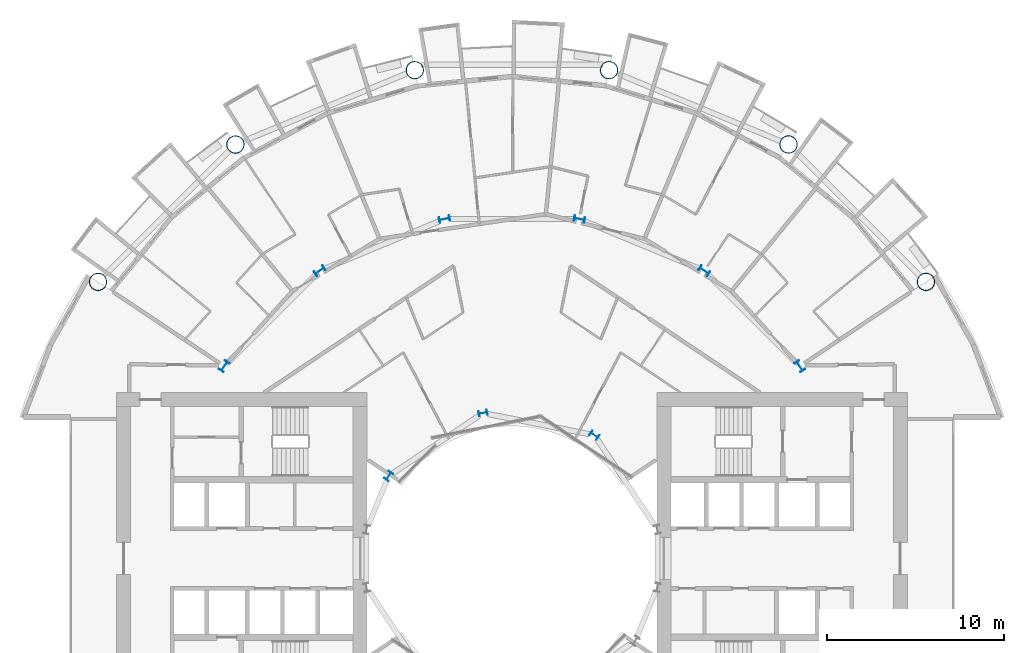
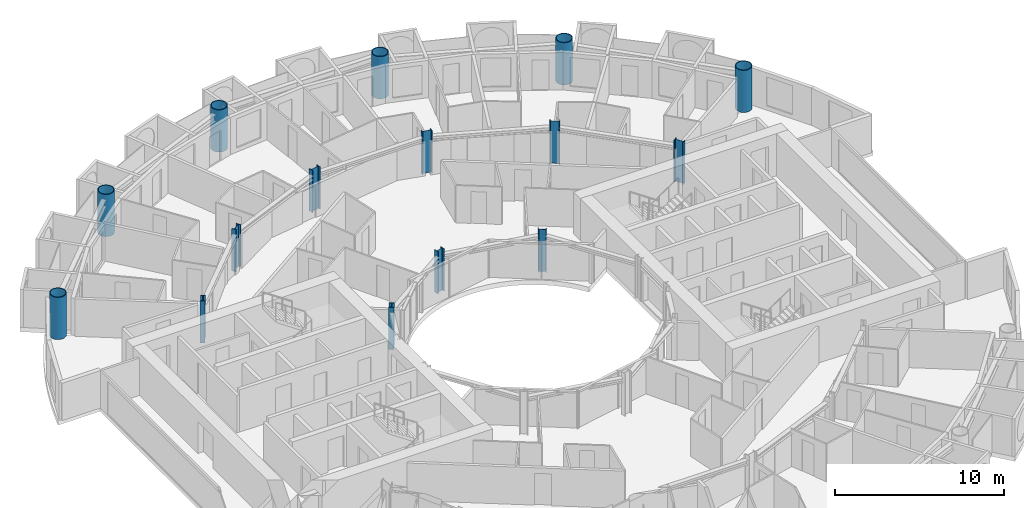
# One storey, part 3 of 26: 15 columns.
"""IFC4 building model written with IfcOpenShell, lengths in metres."""

from ifc_helpers import new_model, si_unit, direction, frame, origin, origin_2d, place, context, subcontext, project, spatial, hollow_circle, i_section, extrude, material, material_profile, profile_set, type_object, element, save


model = new_model("IFC4")

# Units and contexts
model_context = context("Model", 3, precision=1e-05, world=origin(), true_north=direction((0.0, 1.0)))
body_context = subcontext(model_context, "Body", "Model", "MODEL_VIEW")
ifc_project = project(units=[si_unit("LENGTHUNIT", "METRE"), si_unit("AREAUNIT", "SQUARE_METRE"), si_unit("VOLUMEUNIT", "CUBIC_METRE"), si_unit("PLANEANGLEUNIT", "RADIAN"), si_unit("MASSUNIT", "GRAM", prefix="KILO")], contexts=[model_context])

# Site, building, storey
site_placement = place(None, origin())
site = spatial("IfcSite", under=ifc_project, at=site_placement, CompositionType="ELEMENT")
building_placement = place(site_placement, origin())
building = spatial("IfcBuilding", under=site, at=building_placement, Name="Maasbend Ring Residences", CompositionType="ELEMENT")
storey_placement = place(building_placement, frame((0.0, 0.0, 31.949951171875)))
storey = spatial("IfcBuildingStorey", under=building, at=storey_placement, Name="L08", CompositionType="ELEMENT", Elevation=31.949951171875)

# Columns
ifc_material_1 = material(Name="Composite concrete-filled steel tube S460NH / C80/95", Category="concrete")
ifc_material_profile_1 = material_profile(ifc_material_1, hollow_circle(Radius=0.508056640625, WallThickness=0.050048828125, at=origin_2d()), Name="Composite tube column CHS 1016x50")
ifc_profile_set_1 = profile_set([ifc_material_profile_1], Name="Composite concrete-filled steel tube S460NH / C80/95")
column_type_1 = type_object("IfcColumnType", Name="Composite tube column CHS 1016x50", PredefinedType="COLUMN", material=ifc_profile_set_1)
for number, where, z_axis, x_axis, name in (
    (1, (23.447509765625, 15.6669921875, 0.0), (0.0, 0.0, 1.0), (1.0, 0.0, 0.0), "Outer column R2"),
    (2, (15.6669921875, 23.447509765625, 0.0), (0.0, 0.0, 1.0), (1.0, 0.0, 0.0), "Outer column R3"),
    (3, (5.50146484375, 27.658203125, 0.0), (0.0, 0.0, 1.0), (1.0, 0.0, 0.0), "Outer column R4"),
    (4, (-5.50146484375, 27.658203125, 0.0), (0.0, 0.0, 1.0), (1.0, 0.0, 0.0), "Outer column R5"),
    (5, (-15.6669921875, 23.447509765625, 0.0), (0.0, 0.0, 1.0), (1.0, 0.0, 0.0), "Outer column R6"),
    (6, (-23.447509765625, 15.6669921875, 0.0), (0.0, 0.0, 1.0), (1.0, 0.0, 0.0), "Outer column R7"),
):
    element("IfcColumn", number, at=place(storey_placement, frame(where, z_axis=z_axis, x_axis=x_axis)), inside=storey, type_object=column_type_1, Name=name, PredefinedType="COLUMN", context=body_context, shape_type="SweptSolid", body=[
        extrude(hollow_circle(Radius=0.508056640625, WallThickness=0.050048828125, at=origin_2d()), origin(), (0.0, 0.0, 1.0), 3.050048828125),
    ])
ifc_material_2 = material(Name="Steel S355J2", Category="steel")
ifc_material_profile_2 = material_profile(ifc_material_2, i_section(OverallWidth=0.300048828125, OverallDepth=0.5, WebThickness=0.014404296875, FlangeThickness=0.028076171875, FilletRadius=0.027099609375, at=origin_2d()), Name="HEB 500")
ifc_profile_set_2 = profile_set([ifc_material_profile_2], Name="Steel S355J2")
column_type_2 = type_object("IfcColumnType", Name="Steel column HEB 500", PredefinedType="COLUMN", material=ifc_profile_set_2)
for number, where, z_axis, x_axis, name in (
    (7, (4.666748046875, 6.984375, 0.0), (0.0, 0.0, 1.0), (0.55557023302, 0.831469612303, 0.0), "Well ring column R3"),
    (8, (-1.638916015625, 8.238525390625, 0.0), (0.0, 0.0, 1.0), (-0.195090322016, 0.980785280403, 0.0), "Well ring column R5"),
    (9, (-6.984375, 4.666748046875, 0.0), (0.0, 0.0, 1.0), (-0.831469612303, 0.55557023302, 0.0), "Well ring column R7"),
):
    element("IfcColumn", number, at=place(storey_placement, frame(where, z_axis=z_axis, x_axis=x_axis)), inside=storey, type_object=column_type_2, Name=name, PredefinedType="COLUMN", context=body_context, shape_type="SweptSolid", body=[
        extrude(i_section(OverallWidth=0.300048828125, OverallDepth=0.5, WebThickness=0.014404296875, FlangeThickness=0.028076171875, FilletRadius=0.027099609375, at=origin_2d()), origin(), (0.0, 0.0, 1.0), 3.050048828125),
    ])
ifc_material_3 = material(Name="Steel S460M", Category="steel")
ifc_material_profile_3 = material_profile(ifc_material_3, i_section(OverallWidth=0.304931640625, OverallDepth=0.6201171875, WebThickness=0.02099609375, FlangeThickness=0.0400390625, FilletRadius=0.027099609375, at=origin_2d()), Name="HEM 600")
ifc_profile_set_3 = profile_set([ifc_material_profile_3], Name="Steel S460M")
column_type_3 = type_object("IfcColumnType", Name="Steel column HEM 600", PredefinedType="COLUMN", material=ifc_profile_set_3)
for number, where, z_axis, x_axis, name in (
    (10, (16.296875, 10.88916015625, 0.0), (0.0, 0.0, 1.0), (0.831469612303, 0.55557023302, 0.0), "Corridor ring column R2"),
    (11, (10.88916015625, 16.296875, 0.0), (0.0, 0.0, 1.0), (0.55557023302, 0.831469612303, 0.0), "Corridor ring column R3"),
    (12, (3.82373046875, 19.223388671875, 0.0), (0.0, 0.0, 1.0), (0.195090322016, 0.980785280403, 0.0), "Corridor ring column R4"),
    (13, (-3.82373046875, 19.223388671875, 0.0), (0.0, 0.0, 1.0), (-0.195090322016, 0.980785280403, 0.0), "Corridor ring column R5"),
    (14, (-10.88916015625, 16.296875, 0.0), (0.0, 0.0, 1.0), (-0.55557023302, 0.831469612303, 0.0), "Corridor ring column R6"),
    (15, (-16.296875, 10.88916015625, 0.0), (0.0, 0.0, 1.0), (-0.831469612303, 0.55557023302, 0.0), "Corridor ring column R7"),
):
    element("IfcColumn", number, at=place(storey_placement, frame(where, z_axis=z_axis, x_axis=x_axis)), inside=storey, type_object=column_type_3, Name=name, PredefinedType="COLUMN", context=body_context, shape_type="SweptSolid", body=[
        extrude(i_section(OverallWidth=0.304931640625, OverallDepth=0.6201171875, WebThickness=0.02099609375, FlangeThickness=0.0400390625, FilletRadius=0.027099609375, at=origin_2d()), origin(), (0.0, 0.0, 1.0), 3.050048828125),
    ])

save(model, "model.ifc")
